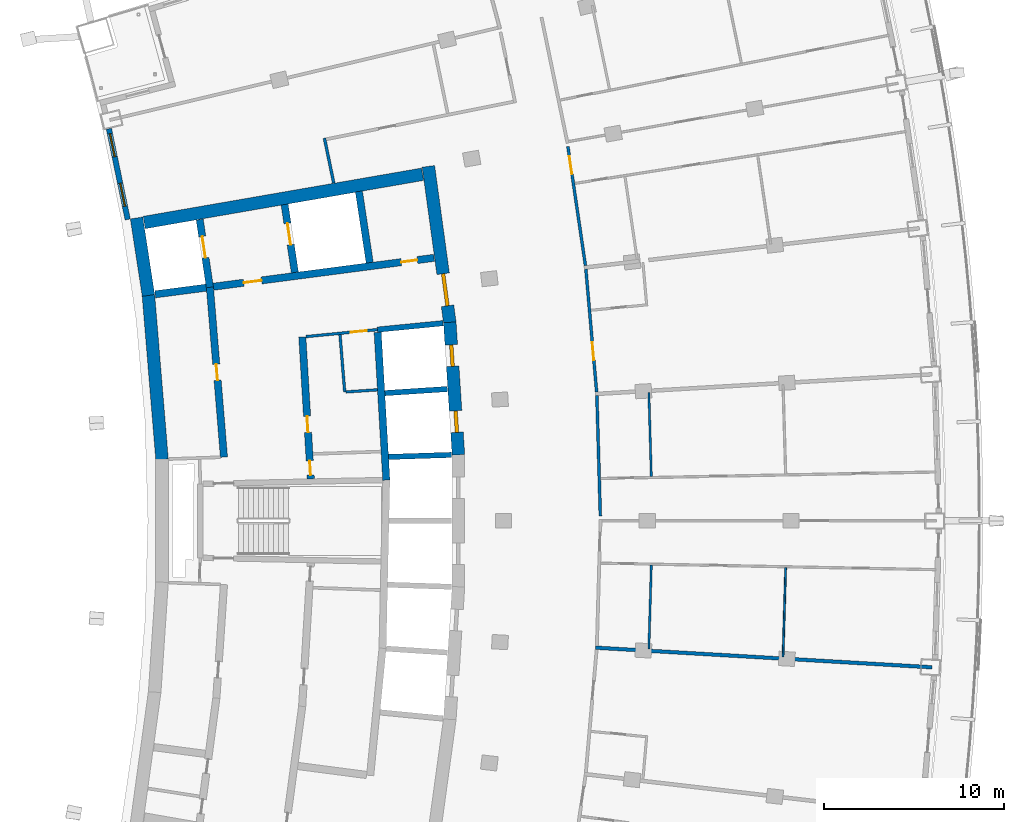
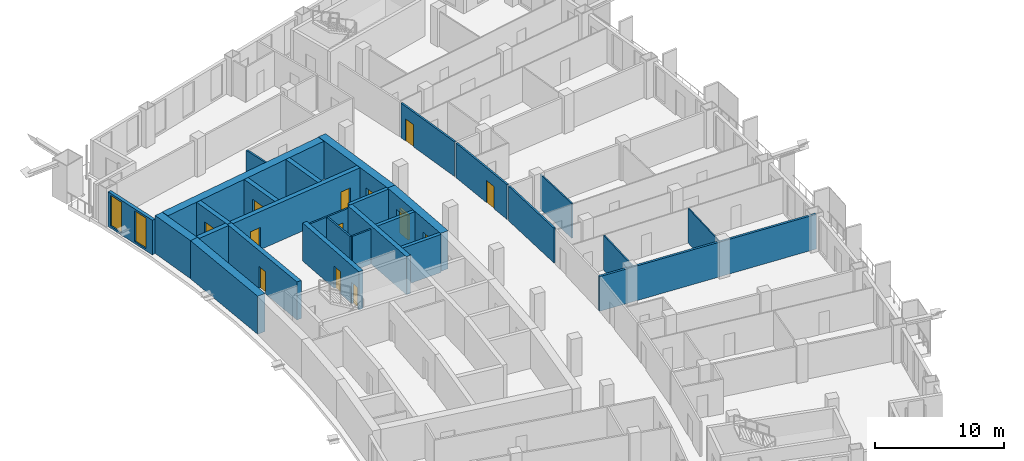
# One storey, part 14 of 22: 28 walls, 13 doors, 2 windows, 15 openings.
"""IFC4 building model written with IfcOpenShell, lengths in metres."""

from ifc_helpers import new_model, si_unit, direction, frame, frame_2d, origin, place, context, subcontext, project, spatial, rectangle, extrude, material, layer, layer_set, type_object, element, fill, save


model = new_model("IFC4")

# Units and contexts
model_context = context("Model", 3, precision=1e-05, world=origin(), true_north=direction((0.0, 1.0)))
body_context = subcontext(model_context, "Body", "Model", "MODEL_VIEW")
ifc_project = project(units=[si_unit("LENGTHUNIT", "METRE"), si_unit("AREAUNIT", "SQUARE_METRE"), si_unit("VOLUMEUNIT", "CUBIC_METRE"), si_unit("PLANEANGLEUNIT", "RADIAN"), si_unit("MASSUNIT", "GRAM", prefix="KILO")], contexts=[model_context])

# Site, building, storey
site_placement = place(None, origin())
site = spatial("IfcSite", under=ifc_project, at=site_placement, CompositionType="ELEMENT")
building_placement = place(site_placement, origin())
building = spatial("IfcBuilding", under=site, at=building_placement, Name="Alderwake Tower", CompositionType="ELEMENT")
storey_placement = place(building_placement, frame((0.0, 0.0, 156.800048828125)))
storey = spatial("IfcBuildingStorey", under=building, at=storey_placement, Name="L38", CompositionType="ELEMENT", Elevation=156.800048828125)

# Walls
ifc_material_1 = material(Name="Gypsum shaft wall system, rated")
ifc_layer_1 = layer(ifc_material_1, 0.14990234375)
ifc_layer_set_1 = layer_set([ifc_layer_1], Name="Core room partition 150")
wall_type_1 = type_object("IfcWallType", Name="Core room partition 150", PredefinedType="PARTITIONING", material=ifc_layer_set_1)
wall_1_placement = place(storey_placement, frame((26.9599609375, 68.170654296875, 0.0), z_axis=(0.0, 0.0, 1.0), x_axis=(-0.081803626558, 0.996648466954, 0.0)))
element("IfcWall", 1, at=wall_1_placement, inside=storey, type_object=wall_type_1, Name="CW/L38/PA+107_+70", PredefinedType="PARTITIONING", context=body_context, shape_type="SweptSolid", body=[
    extrude(rectangle(XDim=3.205322265625, YDim=0.14990234375, at=frame_2d((1.6025390625, 0.0))), origin(), (0.0, 0.0, 1.0), 3.280029296875),
])
wall_2_placement = place(storey_placement, frame((27.034912109375, 68.175537109375, 0.0), z_axis=(0.0, 0.0, 1.0), x_axis=(0.997757929195, 0.066926188655, 0.0)))
element("IfcWall", 2, at=wall_2_placement, inside=storey, type_object=wall_type_1, Name="CW/L38/PR+70_+107", PredefinedType="PARTITIONING", context=body_context, shape_type="SweptSolid", body=[
    extrude(rectangle(XDim=1.7509765625, YDim=0.14990234375, at=frame_2d((0.87548828125, 0.0))), origin(), (0.0, 0.0, 1.0), 3.280029296875),
])

# Wall, opening, door
wall_3_placement = place(storey_placement, frame((28.780517578125, 71.644287109375, 0.0), z_axis=(0.0, 0.0, 1.0), x_axis=(-0.995250000627, -0.097352125046, 0.0)))
wall_3 = element("IfcWall", 3, at=wall_3_placement, inside=storey, type_object=wall_type_1, Name="CW/L38/PR+102_+86", PredefinedType="PARTITIONING", context=body_context, shape_type="SweptSolid", body=[
    extrude(rectangle(XDim=4.0, YDim=0.14990234375, at=frame_2d((2.0, 0.0))), origin(), (0.0, 0.0, 1.0), 3.280029296875),
])
opening_1_placement = place(wall_3_placement, frame((0.60009765625, 0.0, 0.0)))
opening_1 = element("IfcOpeningElement", 4, at=opening_1_placement, cuts=wall_3, Name="Opening C022", PredefinedType="OPENING", context=body_context, shape_type="SweptSolid", body=[
    extrude(rectangle(XDim=0.89990234375, YDim=2.10009765625, at=frame_2d((0.449951171875, 1.050048828125))), frame((0.0, 0.0849609375, 0.0), z_axis=(0.0, -1.0, 0.0), x_axis=(1.0, 0.0, 0.0)), (0.0, 0.0, 1.0), 0.169921875),
])
ifc_material_2 = material(Name="Painted steel leaf", Category="steel")
door_type_1 = type_object("IfcDoorType", Name="Core room door 900", OperationType="SINGLE_SWING_LEFT", PredefinedType="DOOR", material=ifc_material_2)
door_1_placement = place(opening_1_placement, origin())
door_1 = element("IfcDoor", 5, at=door_1_placement, inside=storey, type_object=door_type_1, Name="Room door", OperationType="SINGLE_SWING_LEFT", OverallHeight=2.10009765625, OverallWidth=0.89990234375, PredefinedType="DOOR", context=body_context, shape_type="SweptSolid", body=[
    extrude(rectangle(XDim=0.89990234375, YDim=2.10009765625, at=frame_2d((0.449951171875, 1.050048828125))), frame((0.0, 0.02490234375, 0.0), z_axis=(0.0, -1.0, 0.0), x_axis=(1.0, 0.0, 0.0)), (0.0, 0.0, 1.0), 0.050048828125),
])
fill(opening_1, door_1)

# Walls
ifc_material_3 = material(Name="Concrete C70/85", Category="concrete")
ifc_layer_2 = layer(ifc_material_3, 0.699951171875)
ifc_layer_set_2 = layer_set([ifc_layer_2], Name="Core wall outer 700 C70-85")
wall_type_2 = type_object("IfcWallType", Name="Core wall outer 700 C70-85", PredefinedType="SHEAR", material=ifc_layer_set_2)
wall_4_placement = place(storey_placement, frame((16.79052734375, 64.4111328125, 0.0), z_axis=(0.0, 0.0, 1.0), x_axis=(-0.082616907099, 0.996581379849, 0.0)))
element("IfcWall", 6, at=wall_4_placement, inside=storey, type_object=wall_type_2, Name="Core wall CW.040", PredefinedType="SHEAR", context=body_context, shape_type="SweptSolid", body=[
    extrude(rectangle(XDim=9.193359375, YDim=0.699951171875, at=frame_2d((4.5966796875, 0.0))), origin(), (0.0, 0.0, 1.0), 3.599853515625),
])
wall_5_placement = place(storey_placement, frame((16.033935546875, 73.547607421875, 0.0), z_axis=(0.0, 0.0, 1.0), x_axis=(-0.151897483467, 0.988396253795, 0.0)))
element("IfcWall", 7, at=wall_5_placement, inside=storey, type_object=wall_type_2, Name="Core wall CW.039", PredefinedType="SHEAR", context=body_context, shape_type="SweptSolid", body=[
    extrude(rectangle(XDim=4.365234375, YDim=0.699951171875, at=frame_2d((2.1826171875, 0.0))), origin(), (0.0, 0.0, 1.0), 3.599853515625),
])

# Wall, openings, doors
wall_6_placement = place(storey_placement, frame((33.291015625, 64.6728515625, 0.0), z_axis=(0.0, 0.0, 1.0), x_axis=(-0.065009096017, 0.99788467141, 0.0)))
wall_6 = element("IfcWall", 8, at=wall_6_placement, inside=storey, type_object=wall_type_2, Name="Core wall CW.010", PredefinedType="SHEAR", context=body_context, shape_type="SweptSolid", body=[
    extrude(rectangle(XDim=7.39453125, YDim=0.699951171875, at=frame_2d((3.697265625, 0.0))), origin(), (0.0, 0.0, 1.0), 3.599853515625),
])
opening_2_placement = place(wall_6_placement, frame((1.25390625, 0.0, 0.0)))
opening_2 = element("IfcOpeningElement", 9, at=opening_2_placement, cuts=wall_6, Name="Opening LD-HP5", PredefinedType="OPENING", context=body_context, shape_type="SweptSolid", body=[
    extrude(rectangle(XDim=1.199951171875, YDim=2.300048828125, at=frame_2d((0.60009765625, 1.14990234375))), frame((0.0, 0.35986328125, 0.0), z_axis=(0.0, -1.0, 0.0), x_axis=(1.0, 0.0, 0.0)), (0.0, 0.0, 1.0), 0.719970703125),
])
opening_3_placement = place(wall_6_placement, frame((4.939208984375, 0.0, 0.0)))
opening_3 = element("IfcOpeningElement", 10, at=opening_3_placement, cuts=wall_6, Name="Opening LD-HP6", PredefinedType="OPENING", context=body_context, shape_type="SweptSolid", body=[
    extrude(rectangle(XDim=1.199951171875, YDim=2.300048828125, at=frame_2d((0.60009765625, 1.14990234375))), frame((0.0, 0.35986328125, 0.0), z_axis=(0.0, -1.0, 0.0), x_axis=(1.0, 0.0, 0.0)), (0.0, 0.0, 1.0), 0.719970703125),
])
ifc_material_4 = material(Name="Stainless steel sliding leaf", Category="steel")
door_type_2 = type_object("IfcDoorType", Name="Lift landing door 1200", OperationType="SLIDING_TO_LEFT", PredefinedType="DOOR", material=ifc_material_4)
door_2_placement = place(opening_2_placement, origin())
door_2 = element("IfcDoor", 11, at=door_2_placement, inside=storey, type_object=door_type_2, Name="Lift landing door HP5", OperationType="SLIDING_TO_LEFT", OverallHeight=2.300048828125, OverallWidth=1.199951171875, PredefinedType="DOOR", context=body_context, shape_type="SweptSolid", body=[
    extrude(rectangle(XDim=1.199951171875, YDim=2.300048828125, at=frame_2d((0.60009765625, 1.14990234375))), frame((0.0, 0.10009765625, 0.0), z_axis=(0.0, -1.0, 0.0), x_axis=(1.0, 0.0, 0.0)), (0.0, 0.0, 1.0), 0.199951171875),
])
fill(opening_2, door_2)
door_3_placement = place(opening_3_placement, origin())
door_3 = element("IfcDoor", 12, at=door_3_placement, inside=storey, type_object=door_type_2, Name="Lift landing door HP6", OperationType="SLIDING_TO_LEFT", OverallHeight=2.300048828125, OverallWidth=1.199951171875, PredefinedType="DOOR", context=body_context, shape_type="SweptSolid", body=[
    extrude(rectangle(XDim=1.199951171875, YDim=2.300048828125, at=frame_2d((0.60009765625, 1.14990234375))), frame((0.0, 0.10009765625, 0.0), z_axis=(0.0, -1.0, 0.0), x_axis=(1.0, 0.0, 0.0)), (0.0, 0.0, 1.0), 0.199951171875),
])
fill(opening_3, door_3)

# Wall, opening, door
wall_7_placement = place(storey_placement, frame((31.618896484375, 80.735107421875, 0.0), z_axis=(0.0, 0.0, 1.0), x_axis=(0.135835706655, -0.99073137671, 0.0)))
wall_7 = element("IfcWall", 13, at=wall_7_placement, inside=storey, type_object=wall_type_2, Name="Core wall CW.009", PredefinedType="SHEAR", context=body_context, shape_type="SweptSolid", body=[
    extrude(rectangle(XDim=8.790771484375, YDim=0.699951171875, at=frame_2d((4.3955078125, 0.0))), origin(), (0.0, 0.0, 1.0), 3.599853515625),
])
opening_4_placement = place(wall_7_placement, frame((6.035888671875, 0.0, 0.0)))
opening_4 = element("IfcOpeningElement", 14, at=opening_4_placement, cuts=wall_7, Name="Opening C001", PredefinedType="OPENING", context=body_context, shape_type="SweptSolid", body=[
    extrude(rectangle(XDim=1.800048828125, YDim=2.10009765625, at=frame_2d((0.89990234375, 1.050048828125))), frame((0.0, 0.35986328125, 0.0), z_axis=(0.0, -1.0, 0.0), x_axis=(1.0, 0.0, 0.0)), (0.0, 0.0, 1.0), 0.719970703125),
])
ifc_material_5 = material(Name="Steel-framed fire door leaves", Category="steel")
door_type_3 = type_object("IfcDoorType", Name="Core double door 1800 fire-rated", OperationType="DOUBLE_DOOR_SINGLE_SWING", PredefinedType="DOOR", material=ifc_material_5)
door_4_placement = place(opening_4_placement, origin())
door_4 = element("IfcDoor", 15, at=door_4_placement, inside=storey, type_object=door_type_3, Name="Lobby double door", OperationType="DOUBLE_DOOR_SINGLE_SWING", OverallHeight=2.10009765625, OverallWidth=1.800048828125, PredefinedType="DOOR", context=body_context, shape_type="SweptSolid", body=[
    extrude(rectangle(XDim=1.800048828125, YDim=2.10009765625, at=frame_2d((0.89990234375, 1.050048828125))), frame((0.0, 0.10009765625, 0.0), z_axis=(0.0, -1.0, 0.0), x_axis=(1.0, 0.0, 0.0)), (0.0, 0.0, 1.0), 0.199951171875),
])
fill(opening_4, door_4)

# Walls
wall_8_placement = place(storey_placement, frame((15.79443359375, 77.606689453125, 0.0), z_axis=(0.0, 0.0, 1.0), x_axis=(0.985301369349, 0.170825090542, 0.0)))
element("IfcWall", 16, at=wall_8_placement, inside=storey, type_object=wall_type_2, Name="Core wall CW.055", PredefinedType="SHEAR", context=body_context, shape_type="SweptSolid", body=[
    extrude(rectangle(XDim=15.732421875, YDim=0.699951171875, at=frame_2d((7.8662109375, 0.0))), origin(), (0.0, 0.0, 1.0), 3.599853515625),
])
ifc_material_6 = material(Name="Concrete C70/85", Category="concrete")
ifc_layer_3 = layer(ifc_material_6, 0.300048828125)
ifc_layer_set_3 = layer_set([ifc_layer_3], Name="Core wall shaft 300 C70-85")
wall_type_3 = type_object("IfcWallType", Name="Core wall shaft 300 C70-85", PredefinedType="SHEAR", material=ifc_layer_set_3)
wall_9_placement = place(storey_placement, frame((29.401611328125, 64.558349609375, 0.0), z_axis=(0.0, 0.0, 1.0), x_axis=(0.999472422829, 0.032478854739, 0.0)))
element("IfcWall", 17, at=wall_9_placement, inside=storey, type_object=wall_type_3, Name="Core wall CW.058", PredefinedType="SHEAR", context=body_context, shape_type="SweptSolid", body=[
    extrude(rectangle(XDim=3.510498046875, YDim=0.300048828125, at=frame_2d((1.75537109375, 0.0))), origin(), (0.0, 0.0, 1.0), 3.599853515625),
])
wall_10_placement = place(storey_placement, frame((29.193603515625, 68.110595703125, 0.0), z_axis=(0.0, 0.0, 1.0), x_axis=(0.997884751549, 0.065007865878, 0.0)))
element("IfcWall", 18, at=wall_10_placement, inside=storey, type_object=wall_type_3, Name="Core wall CW.061", PredefinedType="SHEAR", context=body_context, shape_type="SweptSolid", body=[
    extrude(rectangle(XDim=3.485107421875, YDim=0.300048828125, at=frame_2d((1.74267578125, 0.0))), origin(), (0.0, 0.0, 1.0), 3.599853515625),
])
wall_11_placement = place(storey_placement, frame((28.780517578125, 71.644287109375, 0.0), z_axis=(0.0, 0.0, 1.0), x_axis=(0.995245736737, 0.097395705788, 0.0)))
element("IfcWall", 19, at=wall_11_placement, inside=storey, type_object=wall_type_3, Name="Core wall CW.049", PredefinedType="SHEAR", context=body_context, shape_type="SweptSolid", body=[
    extrude(rectangle(XDim=3.669677734375, YDim=0.300048828125, at=frame_2d((1.8349609375, 0.0))), origin(), (0.0, 0.0, 1.0), 3.599853515625),
])

# Wall, opening, door
ifc_material_7 = material(Name="Concrete C70/85", Category="concrete")
ifc_layer_4 = layer(ifc_material_7, 0.39990234375)
ifc_layer_set_4 = layer_set([ifc_layer_4], Name="Core wall spine 400 C70-85")
wall_type_4 = type_object("IfcWallType", Name="Core wall spine 400 C70-85", PredefinedType="SHEAR", material=ifc_layer_set_4)
wall_12_placement = place(storey_placement, frame((19.452392578125, 74.014892578125, 0.0), z_axis=(0.0, 0.0, 1.0), x_axis=(0.082628585297, -0.996580411654, 0.0)))
wall_12 = element("IfcWall", 20, at=wall_12_placement, inside=storey, type_object=wall_type_4, Name="Core wall CW.031", PredefinedType="SHEAR", context=body_context, shape_type="SweptSolid", body=[
    extrude(rectangle(XDim=9.499267578125, YDim=0.39990234375, at=frame_2d((4.74951171875, 0.0))), origin(), (0.0, 0.0, 1.0), 3.599853515625),
])
opening_5_placement = place(wall_12_placement, frame((4.302978515625, 0.0, 0.0)))
opening_5 = element("IfcOpeningElement", 21, at=opening_5_placement, cuts=wall_12, Name="Opening C051", PredefinedType="OPENING", context=body_context, shape_type="SweptSolid", body=[
    extrude(rectangle(XDim=0.89990234375, YDim=2.10009765625, at=frame_2d((0.449951171875, 1.050048828125))), frame((0.0, 0.2099609375, 0.0), z_axis=(0.0, -1.0, 0.0), x_axis=(1.0, 0.0, 0.0)), (0.0, 0.0, 1.0), 0.419921875),
])
door_5_placement = place(opening_5_placement, origin())
door_5 = element("IfcDoor", 22, at=door_5_placement, inside=storey, type_object=door_type_1, Name="Room door", OperationType="SINGLE_SWING_RIGHT", OverallHeight=2.10009765625, OverallWidth=0.89990234375, PredefinedType="DOOR", context=body_context, shape_type="SweptSolid", body=[
    extrude(rectangle(XDim=0.89990234375, YDim=2.10009765625, at=frame_2d((0.449951171875, 1.050048828125))), frame((0.0, 0.02490234375, 0.0), z_axis=(0.0, -1.0, 0.0), x_axis=(1.0, 0.0, 0.0)), (0.0, 0.0, 1.0), 0.050048828125),
])
fill(opening_5, door_5)

wall_13_placement = place(storey_placement, frame((19.4541015625, 74.000732421875, 0.0), z_axis=(0.0, 0.0, 1.0), x_axis=(-0.148540738889, 0.988906289236, 0.0)))
wall_13 = element("IfcWall", 23, at=wall_13_placement, inside=storey, type_object=wall_type_4, Name="Core wall CW.030", PredefinedType="SHEAR", context=body_context, shape_type="SweptSolid", body=[
    extrude(rectangle(XDim=3.814697265625, YDim=0.39990234375, at=frame_2d((1.9072265625, 0.0))), origin(), (0.0, 0.0, 1.0), 3.599853515625),
])
opening_6_placement = place(wall_13_placement, frame((1.660888671875, 0.0, 0.0)))
opening_6 = element("IfcOpeningElement", 24, at=opening_6_placement, cuts=wall_13, Name="Opening LD-FF1", PredefinedType="OPENING", context=body_context, shape_type="SweptSolid", body=[
    extrude(rectangle(XDim=1.199951171875, YDim=2.300048828125, at=frame_2d((0.60009765625, 1.14990234375))), frame((0.0, 0.2099609375, 0.0), z_axis=(0.0, -1.0, 0.0), x_axis=(1.0, 0.0, 0.0)), (0.0, 0.0, 1.0), 0.419921875),
])
door_6_placement = place(opening_6_placement, origin())
door_6 = element("IfcDoor", 25, at=door_6_placement, inside=storey, type_object=door_type_2, Name="Lift landing door FF1", OperationType="SLIDING_TO_LEFT", OverallHeight=2.300048828125, OverallWidth=1.199951171875, PredefinedType="DOOR", context=body_context, shape_type="SweptSolid", body=[
    extrude(rectangle(XDim=1.199951171875, YDim=2.300048828125, at=frame_2d((0.60009765625, 1.14990234375))), frame((0.0, 0.02490234375, 0.0), z_axis=(0.0, -1.0, 0.0), x_axis=(1.0, 0.0, 0.0)), (0.0, 0.0, 1.0), 0.050048828125),
])
fill(opening_6, door_6)

# Wall, openings, doors
wall_14_placement = place(storey_placement, frame((25.073974609375, 63.335693359375, 0.0), z_axis=(0.0, 0.0, 1.0), x_axis=(-0.059848641072, 0.998207463487, 0.0)))
wall_14 = element("IfcWall", 26, at=wall_14_placement, inside=storey, type_object=wall_type_4, Name="Core wall CW.045", PredefinedType="SHEAR", context=body_context, shape_type="SweptSolid", body=[
    extrude(rectangle(XDim=7.913818359375, YDim=0.39990234375, at=frame_2d((3.95703125, 0.0))), origin(), (0.0, 0.0, 1.0), 3.599853515625),
])
opening_7_placement = place(wall_14_placement, frame((0.216064453125, 0.0, 0.0)))
opening_7 = element("IfcOpeningElement", 27, at=opening_7_placement, cuts=wall_14, Name="Opening C005", PredefinedType="OPENING", context=body_context, shape_type="SweptSolid", body=[
    extrude(rectangle(XDim=0.800048828125, YDim=2.0, at=frame_2d((0.39990234375, 1.0))), frame((0.0, 0.2099609375, 0.0), z_axis=(0.0, -1.0, 0.0), x_axis=(1.0, 0.0, 0.0)), (0.0, 0.0, 1.0), 0.419921875),
])
opening_8_placement = place(wall_14_placement, frame((2.590087890625, 0.0, 0.0)))
opening_8 = element("IfcOpeningElement", 28, at=opening_8_placement, cuts=wall_14, Name="Opening C058", PredefinedType="OPENING", context=body_context, shape_type="SweptSolid", body=[
    extrude(rectangle(XDim=0.89990234375, YDim=2.10009765625, at=frame_2d((0.449951171875, 1.050048828125))), frame((0.0, 0.2099609375, 0.0), z_axis=(0.0, -1.0, 0.0), x_axis=(1.0, 0.0, 0.0)), (0.0, 0.0, 1.0), 0.419921875),
])
door_7_placement = place(opening_8_placement, origin())
door_7 = element("IfcDoor", 29, at=door_7_placement, inside=storey, type_object=door_type_1, Name="Room door", OperationType="SINGLE_SWING_LEFT", OverallHeight=2.10009765625, OverallWidth=0.89990234375, PredefinedType="DOOR", context=body_context, shape_type="SweptSolid", body=[
    extrude(rectangle(XDim=0.89990234375, YDim=2.10009765625, at=frame_2d((0.449951171875, 1.050048828125))), frame((0.0, 0.02490234375, 0.0), z_axis=(0.0, -1.0, 0.0), x_axis=(1.0, 0.0, 0.0)), (0.0, 0.0, 1.0), 0.050048828125),
])
fill(opening_8, door_7)
ifc_material_8 = material(Name="Painted steel leaf, rated", Category="steel")
door_type_4 = type_object("IfcDoorType", Name="Riser access door 800", OperationType="SINGLE_SWING_LEFT", PredefinedType="DOOR", material=ifc_material_8)
door_8_placement = place(opening_7_placement, origin())
door_8 = element("IfcDoor", 30, at=door_8_placement, inside=storey, type_object=door_type_4, Name="Riser access door", OperationType="SINGLE_SWING_LEFT", OverallHeight=2.0, OverallWidth=0.800048828125, PredefinedType="DOOR", context=body_context, shape_type="SweptSolid", body=[
    extrude(rectangle(XDim=0.800048828125, YDim=2.0, at=frame_2d((0.39990234375, 1.0))), frame((0.0, 0.02490234375, 0.0), z_axis=(0.0, -1.0, 0.0), x_axis=(1.0, 0.0, 0.0)), (0.0, 0.0, 1.0), 0.050048828125),
])
fill(opening_7, door_8)

# Wall, opening, door
wall_15_placement = place(storey_placement, frame((24.186279296875, 74.82861328125, 0.0), z_axis=(0.0, 0.0, 1.0), x_axis=(-0.149604879253, 0.988745862243, 0.0)))
wall_15 = element("IfcWall", 31, at=wall_15_placement, inside=storey, type_object=wall_type_4, Name="Core wall CW.044", PredefinedType="SHEAR", context=body_context, shape_type="SweptSolid", body=[
    extrude(rectangle(XDim=3.823486328125, YDim=0.39990234375, at=frame_2d((1.91162109375, 0.0))), origin(), (0.0, 0.0, 1.0), 3.599853515625),
])
opening_9_placement = place(wall_15_placement, frame((1.561767578125, 0.0, 0.0)))
opening_9 = element("IfcOpeningElement", 32, at=opening_9_placement, cuts=wall_15, Name="Opening LD-FF2", PredefinedType="OPENING", context=body_context, shape_type="SweptSolid", body=[
    extrude(rectangle(XDim=1.199951171875, YDim=2.300048828125, at=frame_2d((0.60009765625, 1.14990234375))), frame((0.0, 0.2099609375, 0.0), z_axis=(0.0, -1.0, 0.0), x_axis=(1.0, 0.0, 0.0)), (0.0, 0.0, 1.0), 0.419921875),
])
door_9_placement = place(opening_9_placement, origin())
door_9 = element("IfcDoor", 33, at=door_9_placement, inside=storey, type_object=door_type_2, Name="Lift landing door FF2", OperationType="SLIDING_TO_LEFT", OverallHeight=2.300048828125, OverallWidth=1.199951171875, PredefinedType="DOOR", context=body_context, shape_type="SweptSolid", body=[
    extrude(rectangle(XDim=1.199951171875, YDim=2.300048828125, at=frame_2d((0.60009765625, 1.14990234375))), frame((0.0, 0.02490234375, 0.0), z_axis=(0.0, -1.0, 0.0), x_axis=(1.0, 0.0, 0.0)), (0.0, 0.0, 1.0), 0.050048828125),
])
fill(opening_9, door_9)

# Walls
wall_16_placement = place(storey_placement, frame((29.27685546875, 63.2646484375, 0.0), z_axis=(0.0, 0.0, 1.0), x_axis=(-0.0584546922, 0.998290062537, 0.0)))
element("IfcWall", 34, at=wall_16_placement, inside=storey, type_object=wall_type_4, Name="Core wall CW.002", PredefinedType="SHEAR", context=body_context, shape_type="SweptSolid", body=[
    extrude(rectangle(XDim=8.24462890625, YDim=0.39990234375, at=frame_2d((4.122314453125, 0.0))), origin(), (0.0, 0.0, 1.0), 3.599853515625),
])
wall_17_placement = place(storey_placement, frame((28.350830078125, 75.373291015625, 0.0), z_axis=(0.0, 0.0, 1.0), x_axis=(-0.149688214264, 0.988733249421, 0.0)))
element("IfcWall", 35, at=wall_17_placement, inside=storey, type_object=wall_type_4, Name="Core wall CW.001", PredefinedType="SHEAR", context=body_context, shape_type="SweptSolid", body=[
    extrude(rectangle(XDim=4.01220703125, YDim=0.39990234375, at=frame_2d((2.006103515625, 0.0))), origin(), (0.0, 0.0, 1.0), 3.599853515625),
])
wall_18_placement = place(storey_placement, frame((16.4091796875, 73.609619140625, 0.0), z_axis=(0.0, 0.0, 1.0), x_axis=(0.991557657486, 0.129666541102, 0.0)))
element("IfcWall", 36, at=wall_18_placement, inside=storey, type_object=wall_type_4, Name="Core wall CW.051", PredefinedType="SHEAR", context=body_context, shape_type="SweptSolid", body=[
    extrude(rectangle(XDim=2.869384765625, YDim=0.39990234375, at=frame_2d((1.4345703125, 0.0))), origin(), (0.0, 0.0, 1.0), 3.599853515625),
])

# Wall, openings, doors
wall_19_placement = place(storey_placement, frame((31.933837890625, 75.64013671875, 0.0), z_axis=(0.0, 0.0, 1.0), x_axis=(-0.991554628634, -0.129689700573, 0.0)))
wall_19 = element("IfcWall", 37, at=wall_19_placement, inside=storey, type_object=wall_type_4, Name="Core wall CW.052", PredefinedType="SHEAR", context=body_context, shape_type="SweptSolid", body=[
    extrude(rectangle(XDim=12.38671875, YDim=0.39990234375, at=frame_2d((6.193359375, 0.0))), origin(), (0.0, 0.0, 1.0), 3.599853515625),
])
opening_10_placement = place(wall_19_placement, frame((9.687255859375, 0.0, 0.0)))
opening_10 = element("IfcOpeningElement", 38, at=opening_10_placement, cuts=wall_19, Name="Opening C002", PredefinedType="OPENING", context=body_context, shape_type="SweptSolid", body=[
    extrude(rectangle(XDim=1.0, YDim=2.10009765625, at=frame_2d((0.5, 1.050048828125))), frame((0.0, 0.2099609375, 0.0), z_axis=(0.0, -1.0, 0.0), x_axis=(1.0, 0.0, 0.0)), (0.0, 0.0, 1.0), 0.419921875),
])
opening_11_placement = place(wall_19_placement, frame((0.937255859375, 0.0, 0.0)))
opening_11 = element("IfcOpeningElement", 39, at=opening_11_placement, cuts=wall_19, Name="Opening C020", PredefinedType="OPENING", context=body_context, shape_type="SweptSolid", body=[
    extrude(rectangle(XDim=0.89990234375, YDim=2.10009765625, at=frame_2d((0.449951171875, 1.050048828125))), frame((0.0, 0.2099609375, 0.0), z_axis=(0.0, -1.0, 0.0), x_axis=(1.0, 0.0, 0.0)), (0.0, 0.0, 1.0), 0.419921875),
])
door_10_placement = place(opening_11_placement, origin())
door_10 = element("IfcDoor", 40, at=door_10_placement, inside=storey, type_object=door_type_1, Name="Room door", OperationType="SINGLE_SWING_RIGHT", OverallHeight=2.10009765625, OverallWidth=0.89990234375, PredefinedType="DOOR", context=body_context, shape_type="SweptSolid", body=[
    extrude(rectangle(XDim=0.89990234375, YDim=2.10009765625, at=frame_2d((0.449951171875, 1.050048828125))), frame((0.0, 0.02490234375, 0.0), z_axis=(0.0, -1.0, 0.0), x_axis=(1.0, 0.0, 0.0)), (0.0, 0.0, 1.0), 0.050048828125),
])
fill(opening_11, door_10)
ifc_material_9 = material(Name="Steel-framed fire door leaf", Category="steel")
door_type_5 = type_object("IfcDoorType", Name="Firefighting lobby door 1000 fire-rated", OperationType="SINGLE_SWING_LEFT", PredefinedType="DOOR", material=ifc_material_9)
door_11_placement = place(opening_10_placement, origin())
door_11 = element("IfcDoor", 41, at=door_11_placement, inside=storey, type_object=door_type_5, Name="Firefighting lobby door", OperationType="SINGLE_SWING_RIGHT", OverallHeight=2.10009765625, OverallWidth=1.0, PredefinedType="DOOR", context=body_context, shape_type="SweptSolid", body=[
    extrude(rectangle(XDim=1.0, YDim=2.10009765625, at=frame_2d((0.5, 1.050048828125))), frame((0.0, 0.02490234375, 0.0), z_axis=(0.0, -1.0, 0.0), x_axis=(1.0, 0.0, 0.0)), (0.0, 0.0, 1.0), 0.050048828125),
])
fill(opening_10, door_11)

# Wall
ifc_material_10 = material(Name="Gypsum board on metal studs, rated")
ifc_layer_5 = layer(ifc_material_10, 0.159912109375)
ifc_layer_set_5 = layer_set([ifc_layer_5], Name="Corridor wall 160")
wall_type_5 = type_object("IfcWallType", Name="Corridor wall 160", PredefinedType="PARTITIONING", material=ifc_layer_set_5)
wall_20_placement = place(storey_placement, frame((25.831787109375, 82.305419921875, 0.0), z_axis=(0.0, 0.0, 1.0), x_axis=(0.202450797205, -0.979292435747, 0.0)))
element("IfcWall", 42, at=wall_20_placement, inside=storey, type_object=wall_type_5, Name="WL/L38/W14", PredefinedType="PARTITIONING", context=body_context, shape_type="SweptSolid", body=[
    extrude(rectangle(XDim=2.555419921875, YDim=0.159912109375, at=frame_2d((1.27783203125, 0.0))), origin(), (0.0, 0.0, 1.0), 3.280029296875),
])

# Wall, opening, door
wall_21_placement = place(storey_placement, frame((39.38671875, 81.837158203125, 0.0), z_axis=(0.0, 0.0, 1.0), x_axis=(0.145576845789, -0.989346947218, 0.0)))
wall_21 = element("IfcWall", 43, at=wall_21_placement, inside=storey, type_object=wall_type_5, Name="WL/L38/W24", PredefinedType="PARTITIONING", context=body_context, shape_type="SweptSolid", body=[
    extrude(rectangle(XDim=6.701416015625, YDim=0.159912109375, at=frame_2d((3.3505859375, 0.0))), origin(), (0.0, 0.0, 1.0), 3.280029296875),
])
opening_12_placement = place(wall_21_placement, frame((0.54443359375, 0.0, 0.0)))
opening_12 = element("IfcOpeningElement", 44, at=opening_12_placement, cuts=wall_21, Name="Opening R10-U07.2", PredefinedType="OPENING", context=body_context, shape_type="SweptSolid", body=[
    extrude(rectangle(XDim=1.0, YDim=2.10009765625, at=frame_2d((0.5, 1.050048828125))), frame((0.0, 0.08984375, 0.0), z_axis=(0.0, -1.0, 0.0), x_axis=(1.0, 0.0, 0.0)), (0.0, 0.0, 1.0), 0.179931640625),
])
ifc_material_11 = material(Name="Solid timber leaf in steel frame", Category="steel")
door_type_6 = type_object("IfcDoorType", Name="Flat entrance door 1000 fire-rated", OperationType="SINGLE_SWING_LEFT", PredefinedType="DOOR", material=ifc_material_11)
door_12_placement = place(opening_12_placement, origin())
door_12 = element("IfcDoor", 45, at=door_12_placement, inside=storey, type_object=door_type_6, Name="DR/L38/U07.2", OperationType="SINGLE_SWING_LEFT", OverallHeight=2.10009765625, OverallWidth=1.0, PredefinedType="DOOR", context=body_context, shape_type="SweptSolid", body=[
    extrude(rectangle(XDim=1.0, YDim=2.10009765625, at=frame_2d((0.5, 1.050048828125))), frame((0.0, 0.02490234375, 0.0), z_axis=(0.0, -1.0, 0.0), x_axis=(1.0, 0.0, 0.0)), (0.0, 0.0, 1.0), 0.050048828125),
])
fill(opening_12, door_12)

wall_22_placement = place(storey_placement, frame((40.3857421875, 75.00830078125, 0.0), z_axis=(0.0, 0.0, 1.0), x_axis=(0.087448731147, -0.996169021512, 0.0)))
wall_22 = element("IfcWall", 46, at=wall_22_placement, inside=storey, type_object=wall_type_5, Name="WL/L38/W27", PredefinedType="PARTITIONING", context=body_context, shape_type="SweptSolid", body=[
    extrude(rectangle(XDim=6.867919921875, YDim=0.159912109375, at=frame_2d((3.43408203125, 0.0))), origin(), (0.0, 0.0, 1.0), 3.280029296875),
])
opening_13_placement = place(wall_22_placement, frame((4.085693359375, 0.0, 0.0)))
opening_13 = element("IfcOpeningElement", 47, at=opening_13_placement, cuts=wall_22, Name="Opening R10-U06.1", PredefinedType="OPENING", context=body_context, shape_type="SweptSolid", body=[
    extrude(rectangle(XDim=1.0, YDim=2.10009765625, at=frame_2d((0.5, 1.050048828125))), frame((0.0, 0.08984375, 0.0), z_axis=(0.0, -1.0, 0.0), x_axis=(1.0, 0.0, 0.0)), (0.0, 0.0, 1.0), 0.179931640625),
])
door_13_placement = place(opening_13_placement, origin())
door_13 = element("IfcDoor", 48, at=door_13_placement, inside=storey, type_object=door_type_6, Name="DR/L38/U06.1", OperationType="SINGLE_SWING_LEFT", OverallHeight=2.10009765625, OverallWidth=1.0, PredefinedType="DOOR", context=body_context, shape_type="SweptSolid", body=[
    extrude(rectangle(XDim=1.0, YDim=2.10009765625, at=frame_2d((0.5, 1.050048828125))), frame((0.0, 0.02490234375, 0.0), z_axis=(0.0, -1.0, 0.0), x_axis=(1.0, 0.0, 0.0)), (0.0, 0.0, 1.0), 0.050048828125),
])
fill(opening_13, door_13)

# Wall
wall_23_placement = place(storey_placement, frame((40.997802734375, 67.967041015625, 0.0), z_axis=(0.0, 0.0, 1.0), x_axis=(0.0288778927, -0.99958294669, 0.0)))
element("IfcWall", 49, at=wall_23_placement, inside=storey, type_object=wall_type_5, Name="WL/L38/W28", PredefinedType="PARTITIONING", context=body_context, shape_type="SweptSolid", body=[
    extrude(rectangle(XDim=6.7041015625, YDim=0.159912109375, at=frame_2d((3.35205078125, 0.0))), origin(), (0.0, 0.0, 1.0), 3.280029296875),
])

# Wall, openings, windows
ifc_material_12 = material(Name="Precast concrete C50/60 spandrel panel", Category="concrete")
ifc_layer_6 = layer(ifc_material_12, 0.300048828125)
ifc_layer_set_6 = layer_set([ifc_layer_6], Name="External wall EW1 Precast concrete C50/60 spandrel")
wall_type_6 = type_object("IfcWallType", Name="External wall EW1 Precast concrete C50/60 spandrel", PredefinedType="SOLIDWALL", material=ifc_layer_set_6)
wall_24_placement = place(storey_placement, frame((13.83203125, 82.8291015625, 0.0), z_axis=(0.0, 0.0, 1.0), x_axis=(0.202754243564, -0.979229654737, 0.0)))
wall_24 = element("IfcWall", 50, at=wall_24_placement, inside=storey, type_object=wall_type_6, Name="External wall 31", PredefinedType="SOLIDWALL", context=body_context, shape_type="SweptSolid", body=[
    extrude(rectangle(XDim=5.15966796875, YDim=0.300048828125, at=frame_2d((2.579833984375, 0.0))), origin(), (0.0, 0.0, 1.0), 3.280029296875),
])
opening_14_placement = place(wall_24_placement, frame((0.29052734375, 0.0, 0.199951171875)))
opening_14 = element("IfcOpeningElement", 51, at=opening_14_placement, cuts=wall_24, Name="Opening W1", PredefinedType="OPENING", context=body_context, shape_type="SweptSolid", body=[
    extrude(rectangle(XDim=1.300048828125, YDim=2.89990234375, at=frame_2d((0.64990234375, 1.449951171875))), frame((0.0, 0.159912109375, 0.0), z_axis=(0.0, -1.0, 0.0), x_axis=(1.0, 0.0, 0.0)), (0.0, 0.0, 1.0), 0.320068359375),
])
opening_15_placement = place(wall_24_placement, frame((3.103271484375, 0.0, 0.199951171875)))
opening_15 = element("IfcOpeningElement", 52, at=opening_15_placement, cuts=wall_24, Name="Opening W1", PredefinedType="OPENING", context=body_context, shape_type="SweptSolid", body=[
    extrude(rectangle(XDim=1.300048828125, YDim=2.89990234375, at=frame_2d((0.64990234375, 1.449951171875))), frame((0.0, 0.159912109375, 0.0), z_axis=(0.0, -1.0, 0.0), x_axis=(1.0, 0.0, 0.0)), (0.0, 0.0, 1.0), 0.320068359375),
])
ifc_material_13 = material(Name="Bronze tinted glass in aluminium frame", Category="aluminium")
window_type = type_object("IfcWindowType", Name="Window W1 tall fixed and vent", PartitioningType="DOUBLE_PANEL_VERTICAL", PredefinedType="WINDOW", material=ifc_material_13)
window_1_placement = place(opening_14_placement, origin())
window_1 = element("IfcWindow", 53, at=window_1_placement, inside=storey, type_object=window_type, Name="Window W1 tall fixed and vent", OverallHeight=2.89990234375, OverallWidth=1.300048828125, PartitioningType="DOUBLE_PANEL_VERTICAL", PredefinedType="WINDOW", context=body_context, shape_type="SweptSolid", body=[
    extrude(rectangle(XDim=1.300048828125, YDim=2.89990234375, at=frame_2d((0.64990234375, 1.449951171875))), frame((0.0, 0.030029296875, 0.0), z_axis=(0.0, -1.0, 0.0), x_axis=(1.0, 0.0, 0.0)), (0.0, 0.0, 1.0), 0.06005859375),
])
fill(opening_14, window_1)
window_2_placement = place(opening_15_placement, origin())
window_2 = element("IfcWindow", 54, at=window_2_placement, inside=storey, type_object=window_type, Name="Window W1 tall fixed and vent", OverallHeight=2.89990234375, OverallWidth=1.300048828125, PartitioningType="DOUBLE_PANEL_VERTICAL", PredefinedType="WINDOW", context=body_context, shape_type="SweptSolid", body=[
    extrude(rectangle(XDim=1.300048828125, YDim=2.89990234375, at=frame_2d((0.64990234375, 1.449951171875))), frame((0.0, 0.030029296875, 0.0), z_axis=(0.0, -1.0, 0.0), x_axis=(1.0, 0.0, 0.0)), (0.0, 0.0, 1.0), 0.06005859375),
])
fill(opening_15, window_2)

# Walls
ifc_material_14 = material(Name="Dense block masonry wall", Category="masonry")
ifc_layer_7 = layer(ifc_material_14, 0.199951171875)
ifc_layer_set_7 = layer_set([ifc_layer_7], Name="Party wall 200")
wall_type_7 = type_object("IfcWallType", Name="Party wall 200", PredefinedType="SOLIDWALL", material=ifc_layer_set_7)
wall_25_placement = place(storey_placement, frame((59.660888671875, 52.844970703125, 0.0), z_axis=(0.0, 0.0, 1.0), x_axis=(-0.998302191282, 0.058247187749, 0.0)))
element("IfcWall", 55, at=wall_25_placement, inside=storey, type_object=wall_type_7, Name="WL/L38/W05", PredefinedType="SOLIDWALL", context=body_context, shape_type="SweptSolid", body=[
    extrude(rectangle(XDim=18.77783203125, YDim=0.199951171875, at=frame_2d((9.388916015625, 0.0))), origin(), (0.0, 0.0, 1.0), 3.280029296875),
])
ifc_material_15 = material(Name="Gypsum board on metal studs")
ifc_layer_8 = layer(ifc_material_15, 0.10009765625)
ifc_layer_set_8 = layer_set([ifc_layer_8], Name="Unit partition 100")
wall_type_8 = type_object("IfcWallType", Name="Unit partition 100", PredefinedType="PARTITIONING", material=ifc_layer_set_8)
wall_26_placement = place(storey_placement, frame((51.36279296875, 53.427978515625, 0.0), z_axis=(0.0, 0.0, 1.0), x_axis=(0.029342722012, 0.999569409628, 0.0)))
element("IfcWall", 56, at=wall_26_placement, inside=storey, type_object=wall_type_8, Name="WL/L38/W51", PredefinedType="PARTITIONING", context=body_context, shape_type="SweptSolid", body=[
    extrude(rectangle(XDim=4.96728515625, YDim=0.10009765625, at=frame_2d((2.483642578125, 0.0))), origin(), (0.0, 0.0, 1.0), 3.280029296875),
])
ifc_material_16 = material(Name="Moisture resistant gypsum board on metal studs")
ifc_layer_9 = layer(ifc_material_16, 0.1201171875)
ifc_layer_set_9 = layer_set([ifc_layer_9], Name="Wet room partition 120")
wall_type_9 = type_object("IfcWallType", Name="Wet room partition 120", PredefinedType="PARTITIONING", material=ifc_layer_set_9)
wall_27_placement = place(storey_placement, frame((43.892822265625, 53.865966796875, 0.0), z_axis=(0.0, 0.0, 1.0), x_axis=(0.029256273894, 0.999571943603, 0.0)))
element("IfcWall", 57, at=wall_27_placement, inside=storey, type_object=wall_type_9, Name="WL/L38/W41", PredefinedType="PARTITIONING", context=body_context, shape_type="SweptSolid", body=[
    extrude(rectangle(XDim=4.673095703125, YDim=0.1201171875, at=frame_2d((2.33642578125, 0.0))), origin(), (0.0, 0.0, 1.0), 3.280029296875),
])
wall_28_placement = place(storey_placement, frame((44.029541015625, 63.4609375, 0.0), z_axis=(0.0, 0.0, 1.0), x_axis=(-0.029237951874, 0.999572479698, 0.0)))
element("IfcWall", 58, at=wall_28_placement, inside=storey, type_object=wall_type_9, Name="WL/L38/W42", PredefinedType="PARTITIONING", context=body_context, shape_type="SweptSolid", body=[
    extrude(rectangle(XDim=4.676025390625, YDim=0.1201171875, at=frame_2d((2.337890625, 0.0))), origin(), (0.0, 0.0, 1.0), 3.280029296875),
])

save(model, "model.ifc")
